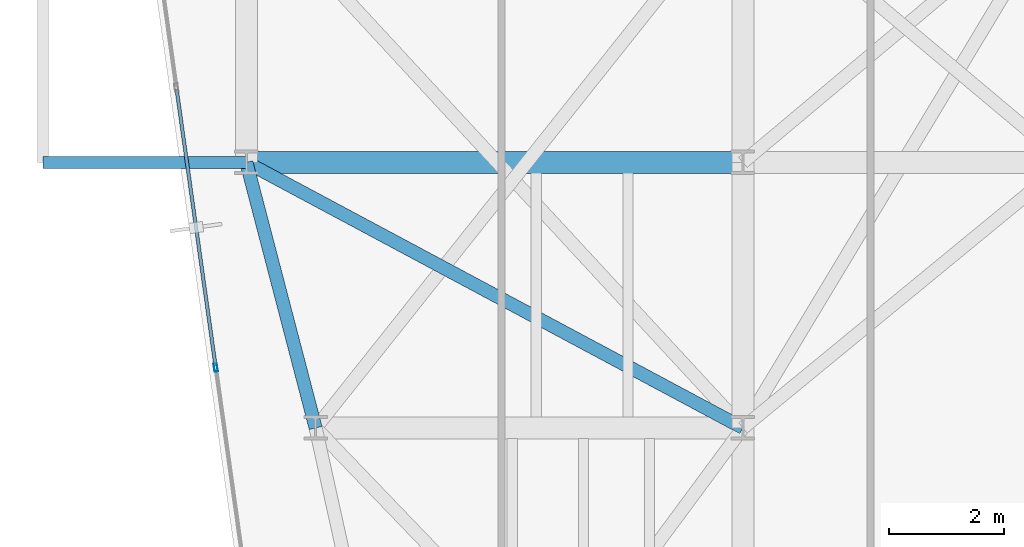
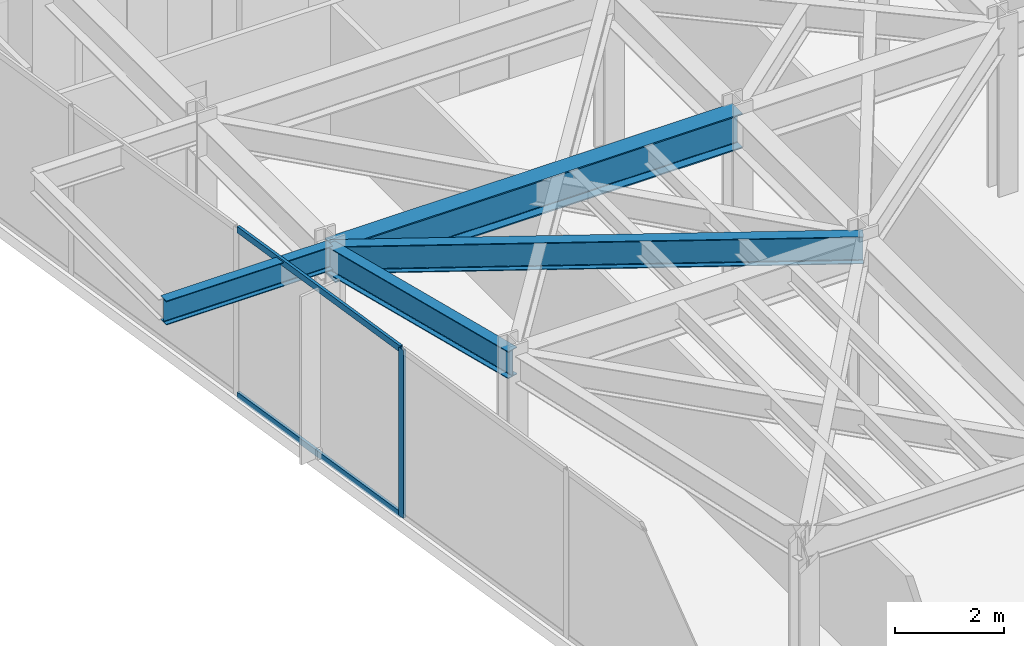
# One storey, part 4 of 27: 4 beams, 3 members, 1 element without a shape of its own.
"""IFC4 building model written with IfcOpenShell, lengths in metres."""

from ifc_helpers import new_model, si_unit, direction, frame, origin, origin_2d, place, context, subcontext, project, spatial, hollow_rectangle, i_section, extrude, material, layer, layer_set, material_profile, profile_set, type_object, element, aggregate, save


model = new_model("IFC4")

# Units and contexts
model_context = context("Model", 3, precision=1e-05, world=origin(), true_north=direction((0.0, 1.0)))
body_context = subcontext(model_context, "Body", "Model", "MODEL_VIEW")
ifc_project = project(units=[si_unit("LENGTHUNIT", "METRE"), si_unit("AREAUNIT", "SQUARE_METRE"), si_unit("VOLUMEUNIT", "CUBIC_METRE"), si_unit("PLANEANGLEUNIT", "RADIAN"), si_unit("MASSUNIT", "GRAM", prefix="KILO")], contexts=[model_context])

# Site, building, storey
site_placement = place(None, origin())
site = spatial("IfcSite", under=ifc_project, at=site_placement, CompositionType="ELEMENT")
building_placement = place(site_placement, origin())
building = spatial("IfcBuilding", under=site, at=building_placement, Name="Kravanh Interchange Tower", CompositionType="ELEMENT")
storey_placement = place(building_placement, frame((0.0, 0.0, 164.5)))
storey = spatial("IfcBuildingStorey", under=building, at=storey_placement, Name="L39", CompositionType="ELEMENT", Elevation=164.5)

# Curtain wall, members
ifc_material_1 = material(Name="Anodised Bronze Aluminium", Category="aluminium")
ifc_layer = layer(ifc_material_1, 0.179931640625)
ifc_layer_set = layer_set([ifc_layer], Name="Unitised Curtain Wall System CW-Z3 Upper Office")
curtain_wall_type = type_object("IfcCurtainWallType", Name="Unitised Curtain Wall System CW-Z3 Upper Office", PredefinedType="NOTDEFINED", material=ifc_layer_set)
curtain_wall_placement = place(storey_placement, origin())
curtain_wall = element("IfcCurtainWall", 1, at=curtain_wall_placement, inside=storey, type_object=curtain_wall_type, Name="L39 Unitised Curtain Wall CW-L39-01", PredefinedType="NOTDEFINED")
ifc_material_2 = material(Name="Anodised Bronze Aluminium", Category="aluminium")
ifc_material_profile_1 = material_profile(ifc_material_2, hollow_rectangle(XDim=0.06005859375, YDim=0.139892578125, WallThickness=0.00390625, at=origin_2d()), Name="ALU60X140X4")
ifc_profile_set_1 = profile_set([ifc_material_profile_1], Name="Anodised Bronze Aluminium")
member_type_1 = type_object("IfcMemberType", Name="Curtain Wall Mullion ALU60X140X4 Bronze", PredefinedType="MULLION", material=ifc_profile_set_1)
member_1_placement = place(storey_placement, frame((18.070556640625, 23.244384765625, 0.0), z_axis=(0.0, 0.0, 1.0), x_axis=(-0.990268194035, -0.139172209446, 0.0)))
member_1 = element("IfcMember", 2, at=member_1_placement, type_object=member_type_1, Name="CW-Z3 mullion 3", PredefinedType="MULLION", context=body_context, shape_type="SweptSolid", body=[
    extrude(hollow_rectangle(XDim=0.06005859375, YDim=0.139892578125, WallThickness=0.00390625, at=origin_2d()), origin(), (0.0, 0.0, 1.0), 3.7548828125),
])
ifc_material_3 = material(Name="Anodised Bronze Aluminium", Category="aluminium")
ifc_material_profile_2 = material_profile(ifc_material_3, hollow_rectangle(XDim=0.06005859375, YDim=0.139892578125, WallThickness=0.00390625, at=origin_2d()), Name="ALU60X140X4")
ifc_profile_set_2 = profile_set([ifc_material_profile_2], Name="Anodised Bronze Aluminium")
member_type_2 = type_object("IfcMemberType", Name="Curtain Wall Transom ALU60X140X4 Bronze", PredefinedType="USERDEFINED", material=ifc_profile_set_2)
member_2_placement = place(storey_placement, frame((18.06640625, 23.274169921875, 0.030029296875), z_axis=(-0.139182174391, 0.990266793512, 0.0), x_axis=(-0.990266793512, -0.139182174391, 0.0)))
member_2 = element("IfcMember", 3, at=member_2_placement, type_object=member_type_2, Name="CW-Z3 transom 3.1", ObjectType="TRANSOM", PredefinedType="USERDEFINED", context=body_context, shape_type="SweptSolid", body=[
    extrude(hollow_rectangle(XDim=0.06005859375, YDim=0.139892578125, WallThickness=0.00390625, at=origin_2d()), origin(), (0.0, 0.0, 1.0), 4.839599609375),
])
member_3_placement = place(storey_placement, frame((18.06640625, 23.274169921875, 3.72509765625), z_axis=(-0.139182174391, 0.990266793512, 0.0), x_axis=(-0.990266793512, -0.139182174391, 0.0)))
member_3 = element("IfcMember", 4, at=member_3_placement, type_object=member_type_2, Name="CW-Z3 transom 3.2", ObjectType="TRANSOM", PredefinedType="USERDEFINED", context=body_context, shape_type="SweptSolid", body=[
    extrude(hollow_rectangle(XDim=0.06005859375, YDim=0.139892578125, WallThickness=0.00390625, at=origin_2d()), origin(), (0.0, 0.0, 1.0), 4.839599609375),
])
aggregate(curtain_wall, [member_1, member_2, member_3])

# Beams
ifc_material_4 = material(Name="Structural Steel S355", Category="steel")
ifc_material_profile_3 = material_profile(ifc_material_4, i_section(OverallWidth=0.381103515625, OverallDepth=0.77294921875, WebThickness=0.0166015625, FlangeThickness=0.027099609375, FilletRadius=0.02490234375, at=origin_2d()), Name="W30X173")
ifc_profile_set_3 = profile_set([ifc_material_profile_3], Name="Structural Steel S355")
beam_type_1 = type_object("IfcBeamType", Name="Floor Beam W30X173 Structural Steel S355", PredefinedType="BEAM", material=ifc_profile_set_3)
beam_1_placement = place(storey_placement, frame((18.60009765625, 26.800048828125, 3.368408203125), z_axis=(1.0, 0.0, 0.0), x_axis=(0.0, 1.0, 0.0)))
element("IfcBeam", 5, at=beam_1_placement, inside=storey, type_object=beam_type_1, Name="L39 Primary Floor Girder 35", PredefinedType="BEAM", context=body_context, shape_type="SweptSolid", body=[
    extrude(i_section(OverallWidth=0.381103515625, OverallDepth=0.77294921875, WebThickness=0.0166015625, FlangeThickness=0.027099609375, FilletRadius=0.02490234375, at=origin_2d()), origin(), (0.0, 0.0, 1.0), 8.599853515625),
])
ifc_material_5 = material(Name="Structural Steel S355", Category="steel")
ifc_material_profile_4 = material_profile(ifc_material_5, i_section(OverallWidth=0.2099609375, OverallDepth=0.537109375, WebThickness=0.010986328125, FlangeThickness=0.017333984375, FilletRadius=0.02001953125, at=origin_2d()), Name="W21X68")
ifc_profile_set_4 = profile_set([ifc_material_profile_4], Name="Structural Steel S355")
beam_type_2 = type_object("IfcBeamType", Name="Floor Spandrel W21X68 Structural Steel S355", PredefinedType="SPANDREL", material=ifc_profile_set_4)
beam_2_placement = place(storey_placement, frame((18.60009765625, 26.800048828125, 3.486572265625), z_axis=(-1.0, 0.0, 0.0), x_axis=(0.0, -1.0, 0.0)))
element("IfcBeam", 6, at=beam_2_placement, inside=storey, type_object=beam_type_2, Name="L39 Balcony Cantilever Outrigger W1", PredefinedType="SPANDREL", context=body_context, shape_type="SweptSolid", body=[
    extrude(i_section(OverallWidth=0.2099609375, OverallDepth=0.537109375, WebThickness=0.010986328125, FlangeThickness=0.017333984375, FilletRadius=0.02001953125, at=origin_2d()), origin(), (0.0, 0.0, 1.0), 3.51904296875),
])
ifc_material_6 = material(Name="Structural Steel S355", Category="steel")
ifc_material_profile_5 = material_profile(ifc_material_6, i_section(OverallWidth=0.22802734375, OverallDepth=0.60791015625, WebThickness=0.01123046875, FlangeThickness=0.017333984375, FilletRadius=0.02197265625, at=origin_2d()), Name="W24X76")
ifc_profile_set_5 = profile_set([ifc_material_profile_5], Name="Structural Steel S355")
beam_type_3 = type_object("IfcBeamType", Name="Floor Spandrel W24X76 Structural Steel S355", PredefinedType="SPANDREL", material=ifc_profile_set_5)
beam_3_placement = place(storey_placement, frame((18.60009765625, 26.800048828125, 3.450927734375), z_axis=(0.252407263364, -0.967621089787, 0.0), x_axis=(0.967621089787, 0.252407263364, 0.0)))
element("IfcBeam", 7, at=beam_3_placement, inside=storey, type_object=beam_type_3, Name="L39 Perimeter Spandrel 34", PredefinedType="SPANDREL", context=body_context, shape_type="SweptSolid", body=[
    extrude(i_section(OverallWidth=0.22802734375, OverallDepth=0.60791015625, WebThickness=0.01123046875, FlangeThickness=0.017333984375, FilletRadius=0.02197265625, at=origin_2d()), origin(), (0.0, 0.0, 1.0), 4.75390625),
])
beam_4_placement = place(storey_placement, frame((18.60009765625, 26.800048828125, 3.450927734375), z_axis=(0.881777136221, -0.471666282489, 0.0), x_axis=(0.471666282489, 0.881777136221, 0.0)))
element("IfcBeam", 8, at=beam_4_placement, inside=storey, type_object=beam_type_3, Name="L39 Perimeter Spandrel 36", PredefinedType="SPANDREL", context=body_context, shape_type="SweptSolid", body=[
    extrude(i_section(OverallWidth=0.22802734375, OverallDepth=0.60791015625, WebThickness=0.01123046875, FlangeThickness=0.017333984375, FilletRadius=0.02197265625, at=origin_2d()), origin(), (0.0, 0.0, 1.0), 9.7529296875),
])

save(model, "model.ifc")
